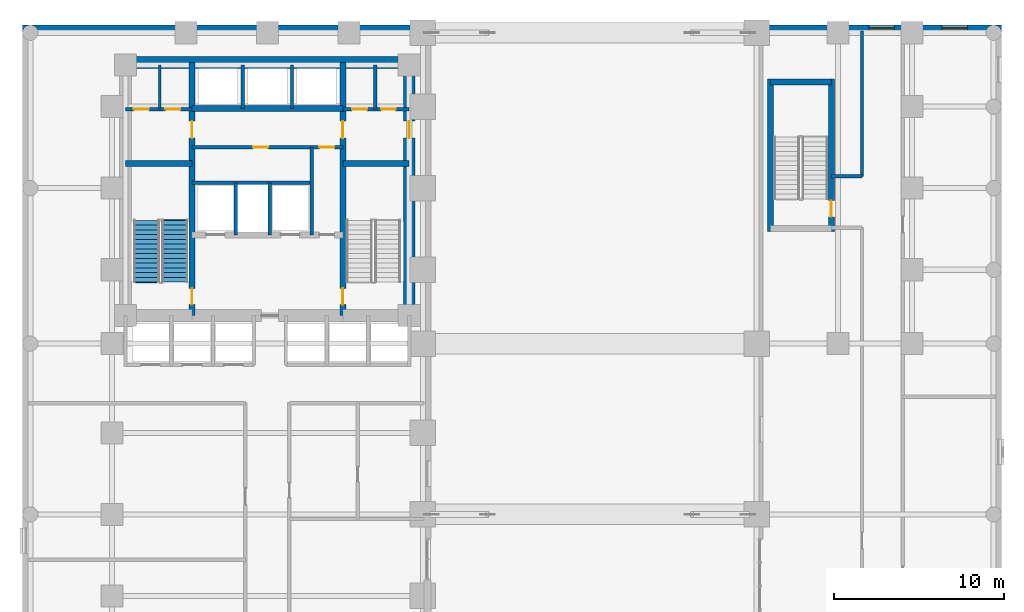
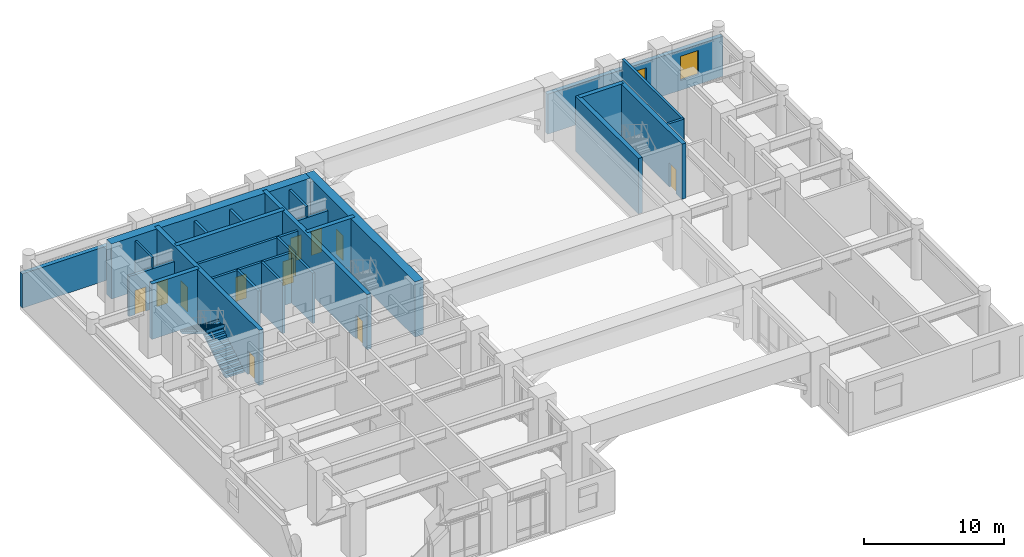
# One storey, part 8 of 12: 25 walls, 12 doors, 2 stair flights, 2 windows, 14 openings, 1 element without a shape of its own.
"""IFC4 building model written with IfcOpenShell, lengths in metres."""

from ifc_helpers import new_model, si_unit, direction, frame, frame_2d, origin, place, context, subcontext, project, spatial, polyline, rectangle, outline, extrude, material, layer, layer_set, type_object, element, fill, aggregate, save


model = new_model("IFC4")

# Units and contexts
model_context = context("Model", 3, precision=1e-05, world=origin(), true_north=direction((0.0, 1.0)))
body_context = subcontext(model_context, "Body", "Model", "MODEL_VIEW")
ifc_project = project(units=[si_unit("LENGTHUNIT", "METRE"), si_unit("AREAUNIT", "SQUARE_METRE"), si_unit("VOLUMEUNIT", "CUBIC_METRE"), si_unit("PLANEANGLEUNIT", "RADIAN"), si_unit("MASSUNIT", "GRAM", prefix="KILO")], contexts=[model_context])

# Site, building, storey
site_placement = place(None, origin())
site = spatial("IfcSite", under=ifc_project, at=site_placement, CompositionType="ELEMENT")
building_placement = place(site_placement, origin())
building = spatial("IfcBuilding", under=site, at=building_placement, Name="Orvandelia Arch Residences", CompositionType="ELEMENT")
storey_placement = place(building_placement, frame((0.0, 0.0, 10.0)))
storey = spatial("IfcBuildingStorey", under=building, at=storey_placement, Name="L02", CompositionType="ELEMENT", Elevation=10.0)

# Wall, openings, doors
ifc_material_1 = material(Name="Concrete C50/60", Category="concrete")
ifc_layer_1 = layer(ifc_material_1, 0.35009765625, Name="Concrete C50/60", Category="concrete")
ifc_layer_set_1 = layer_set([ifc_layer_1], Name="Concrete C50/60")
wall_type_1 = type_object("IfcWallType", Name="WL-CORE-350", PredefinedType="SHEAR", material=ifc_layer_set_1)
wall_1_placement = place(storey_placement, frame((9.9599609375, 30.89990234375, 0.0), z_axis=(0.0, 0.0, 1.0), x_axis=(0.0, 1.0, 0.0)))
wall_1 = element("IfcWall", 1, at=wall_1_placement, inside=storey, type_object=wall_type_1, Name="Core Shear Wall L02-WEB1", PredefinedType="SHEAR", context=body_context, shape_type="SweptSolid", body=[
    extrude(rectangle(XDim=14.900146484375, YDim=0.35009765625, at=frame_2d((7.4501953125, 0.0))), origin(), (0.0, 0.0, 1.0), 4.800048828125),
])
opening_1_placement = place(wall_1_placement, frame((0.64990234375, 0.0, 0.0)))
opening_1 = element("IfcOpeningElement", 2, at=opening_1_placement, cuts=wall_1, Name="Opening D7", PredefinedType="OPENING", context=body_context, shape_type="SweptSolid", body=[
    extrude(rectangle(XDim=0.949951171875, YDim=2.10009765625, at=frame_2d((0.47509765625, 1.050048828125))), frame((0.0, 0.18505859375, 0.0), z_axis=(0.0, -1.0, 0.0), x_axis=(1.0, 0.0, 0.0)), (0.0, 0.0, 1.0), 0.3701171875),
])
opening_2_placement = place(wall_1_placement, frame((10.449951171875, 0.0, 0.0)))
opening_2 = element("IfcOpeningElement", 3, at=opening_2_placement, cuts=wall_1, Name="Opening D6", PredefinedType="OPENING", context=body_context, shape_type="SweptSolid", body=[
    extrude(rectangle(XDim=1.0, YDim=2.14990234375, at=frame_2d((0.5, 1.074951171875))), frame((0.0, 0.18505859375, 0.0), z_axis=(0.0, -1.0, 0.0), x_axis=(1.0, 0.0, 0.0)), (0.0, 0.0, 1.0), 0.3701171875),
])
ifc_material_2 = material(Name="Smokeproof Painted Steel Fire Door", Category="steel")
door_type_1 = type_object("IfcDoorType", Name="DR-FD60-1000", OperationType="NOTDEFINED", PredefinedType="DOOR", material=ifc_material_2)
door_1_placement = place(opening_2_placement, origin())
door_1 = element("IfcDoor", 4, at=door_1_placement, inside=storey, type_object=door_type_1, Name="High-Rise Lift Hall West Vestibule Door L02", OperationType="SINGLE_SWING_LEFT", OverallHeight=2.14990234375, OverallWidth=1.0, PredefinedType="DOOR", context=body_context, shape_type="SweptSolid", body=[
    extrude(rectangle(XDim=1.0, YDim=2.14990234375, at=frame_2d((0.5, 1.074951171875))), frame((0.0, 0.02490234375, 0.0), z_axis=(0.0, -1.0, 0.0), x_axis=(1.0, 0.0, 0.0)), (0.0, 0.0, 1.0), 0.050048828125),
])
fill(opening_2, door_1)
ifc_material_3 = material(Name="Pressurised Stairwell Fire Door")
door_type_2 = type_object("IfcDoorType", Name="DR-STAIR-950", OperationType="NOTDEFINED", PredefinedType="DOOR", material=ifc_material_3)
door_2_placement = place(opening_1_placement, origin())
door_2 = element("IfcDoor", 5, at=door_2_placement, inside=storey, type_object=door_type_2, Name="Stairwell ST-1 Fire Door L02", OperationType="SINGLE_SWING_LEFT", OverallHeight=2.10009765625, OverallWidth=0.949951171875, PredefinedType="DOOR", context=body_context, shape_type="SweptSolid", body=[
    extrude(rectangle(XDim=0.949951171875, YDim=2.10009765625, at=frame_2d((0.47509765625, 1.050048828125))), frame((0.0, 0.02490234375, 0.0), z_axis=(0.0, -1.0, 0.0), x_axis=(1.0, 0.0, 0.0)), (0.0, 0.0, 1.0), 0.050048828125),
])
fill(opening_1, door_2)

wall_2_placement = place(storey_placement, frame((18.840087890625, 30.89990234375, 0.0), z_axis=(0.0, 0.0, 1.0), x_axis=(0.0, 1.0, 0.0)))
wall_2 = element("IfcWall", 6, at=wall_2_placement, inside=storey, type_object=wall_type_1, Name="Core Shear Wall L02-WEB2", PredefinedType="SHEAR", context=body_context, shape_type="SweptSolid", body=[
    extrude(rectangle(XDim=14.900146484375, YDim=0.35009765625, at=frame_2d((7.4501953125, 0.0))), origin(), (0.0, 0.0, 1.0), 4.800048828125),
])
opening_3_placement = place(wall_2_placement, frame((0.64990234375, 0.0, 0.0)))
opening_3 = element("IfcOpeningElement", 7, at=opening_3_placement, cuts=wall_2, Name="Opening D7", PredefinedType="OPENING", context=body_context, shape_type="SweptSolid", body=[
    extrude(rectangle(XDim=0.949951171875, YDim=2.10009765625, at=frame_2d((0.47509765625, 1.050048828125))), frame((0.0, 0.18505859375, 0.0), z_axis=(0.0, -1.0, 0.0), x_axis=(1.0, 0.0, 0.0)), (0.0, 0.0, 1.0), 0.3701171875),
])
opening_4_placement = place(wall_2_placement, frame((10.449951171875, 0.0, 0.0)))
opening_4 = element("IfcOpeningElement", 8, at=opening_4_placement, cuts=wall_2, Name="Opening D6", PredefinedType="OPENING", context=body_context, shape_type="SweptSolid", body=[
    extrude(rectangle(XDim=1.0, YDim=2.14990234375, at=frame_2d((0.5, 1.074951171875))), frame((0.0, 0.18505859375, 0.0), z_axis=(0.0, -1.0, 0.0), x_axis=(1.0, 0.0, 0.0)), (0.0, 0.0, 1.0), 0.3701171875),
])
door_3_placement = place(opening_4_placement, origin())
door_3 = element("IfcDoor", 9, at=door_3_placement, inside=storey, type_object=door_type_1, Name="High-Rise Lift Hall East Vestibule Door L02", OperationType="SINGLE_SWING_RIGHT", OverallHeight=2.14990234375, OverallWidth=1.0, PredefinedType="DOOR", context=body_context, shape_type="SweptSolid", body=[
    extrude(rectangle(XDim=1.0, YDim=2.14990234375, at=frame_2d((0.5, 1.074951171875))), frame((0.0, 0.02490234375, 0.0), z_axis=(0.0, -1.0, 0.0), x_axis=(1.0, 0.0, 0.0)), (0.0, 0.0, 1.0), 0.050048828125),
])
fill(opening_4, door_3)
door_4_placement = place(opening_3_placement, origin())
door_4 = element("IfcDoor", 10, at=door_4_placement, inside=storey, type_object=door_type_2, Name="Stairwell ST-2 Fire Door L02", OperationType="SINGLE_SWING_RIGHT", OverallHeight=2.10009765625, OverallWidth=0.949951171875, PredefinedType="DOOR", context=body_context, shape_type="SweptSolid", body=[
    extrude(rectangle(XDim=0.949951171875, YDim=2.10009765625, at=frame_2d((0.47509765625, 1.050048828125))), frame((0.0, 0.02490234375, 0.0), z_axis=(0.0, -1.0, 0.0), x_axis=(1.0, 0.0, 0.0)), (0.0, 0.0, 1.0), 0.050048828125),
])
fill(opening_3, door_4)

# Walls
for number, where, z_axis, x_axis, name in (
    (11, (6.050048828125, 39.85009765625, 0.0), (0.0, 0.0, 1.0), (1.0, 0.0, 0.0), "Core Shear Wall L02-HZ1"),
    (12, (18.840087890625, 39.85009765625, 0.0), (0.0, 0.0, 1.0), (1.0, 0.0, 0.0), "Core Shear Wall L02-HZ2"),
):
    element("IfcWall", number, at=place(storey_placement, frame(where, z_axis=z_axis, x_axis=x_axis)), inside=storey, type_object=wall_type_1, Name=name, PredefinedType="SHEAR", context=body_context, shape_type="SweptSolid", body=[
        extrude(rectangle(XDim=3.909912109375, YDim=0.35009765625, at=frame_2d((1.955078125, 0.0))), origin(), (0.0, 0.0, 1.0), 4.800048828125),
    ])
wall_3_placement = place(storey_placement, frame((9.9599609375, 43.10009765625, 0.0), z_axis=(0.0, 0.0, 1.0), x_axis=(1.0, 0.0, 0.0)))
element("IfcWall", 13, at=wall_3_placement, inside=storey, type_object=wall_type_1, Name="Core Shear Wall L02-HZ4", PredefinedType="SHEAR", context=body_context, shape_type="SweptSolid", body=[
    extrude(rectangle(XDim=8.880126953125, YDim=0.35009765625, at=frame_2d((4.43994140625, 0.0))), origin(), (0.0, 0.0, 1.0), 4.800048828125),
])
wall_4_placement = place(storey_placement, frame((44.02001953125, 35.864990234375, 0.0), z_axis=(0.0, 0.0, 1.0), x_axis=(0.0, 1.0, 0.0)))
element("IfcWall", 14, at=wall_4_placement, inside=storey, type_object=wall_type_1, Name="East Stair Core Shear Wall L02-W", PredefinedType="SHEAR", context=body_context, shape_type="SweptSolid", body=[
    extrude(rectangle(XDim=8.969970703125, YDim=0.35009765625, at=frame_2d((4.48486328125, 0.0))), origin(), (0.0, 0.0, 1.0), 4.800048828125),
])

# Wall, opening, door
wall_5_placement = place(storey_placement, frame((47.60009765625, 35.864990234375, 0.0), z_axis=(0.0, 0.0, 1.0), x_axis=(0.0, 1.0, 0.0)))
wall_5 = element("IfcWall", 15, at=wall_5_placement, inside=storey, type_object=wall_type_1, Name="East Stair Core Shear Wall L02-E", PredefinedType="SHEAR", context=body_context, shape_type="SweptSolid", body=[
    extrude(rectangle(XDim=8.969970703125, YDim=0.35009765625, at=frame_2d((4.48486328125, 0.0))), origin(), (0.0, 0.0, 1.0), 4.800048828125),
])
opening_5_placement = place(wall_5_placement, frame((0.85009765625, 0.0, 0.0)))
opening_5 = element("IfcOpeningElement", 16, at=opening_5_placement, cuts=wall_5, Name="Opening D7", PredefinedType="OPENING", context=body_context, shape_type="SweptSolid", body=[
    extrude(rectangle(XDim=0.949951171875, YDim=2.10009765625, at=frame_2d((0.47509765625, 1.050048828125))), frame((0.0, 0.18505859375, 0.0), z_axis=(0.0, -1.0, 0.0), x_axis=(1.0, 0.0, 0.0)), (0.0, 0.0, 1.0), 0.3701171875),
])
door_5_placement = place(opening_5_placement, origin())
door_5 = element("IfcDoor", 17, at=door_5_placement, inside=storey, type_object=door_type_2, Name="East Stairwell ST-3 Fire Door L02", OperationType="SINGLE_SWING_RIGHT", OverallHeight=2.10009765625, OverallWidth=0.949951171875, PredefinedType="DOOR", context=body_context, shape_type="SweptSolid", body=[
    extrude(rectangle(XDim=0.949951171875, YDim=2.10009765625, at=frame_2d((0.47509765625, 1.050048828125))), frame((0.0, 0.02490234375, 0.0), z_axis=(0.0, -1.0, 0.0), x_axis=(1.0, 0.0, 0.0)), (0.0, 0.0, 1.0), 0.050048828125),
])
fill(opening_5, door_5)

# Wall
wall_6_placement = place(storey_placement, frame((44.02001953125, 44.659912109375, 0.0), z_axis=(0.0, 0.0, 1.0), x_axis=(1.0, 0.0, 0.0)))
element("IfcWall", 18, at=wall_6_placement, inside=storey, type_object=wall_type_1, Name="East Stair Core Shear Wall L02-N", PredefinedType="SHEAR", context=body_context, shape_type="SweptSolid", body=[
    extrude(rectangle(XDim=3.580078125, YDim=0.35009765625, at=frame_2d((1.7900390625, 0.0))), origin(), (0.0, 0.0, 1.0), 4.800048828125),
])

# Wall, opening, door
ifc_material_4 = material(Name="Concrete C80/95", Category="concrete")
ifc_layer_2 = layer(ifc_material_4, 0.699951171875, Name="Concrete C80/95", Category="concrete")
ifc_layer_set_2 = layer_set([ifc_layer_2], Name="Concrete C80/95")
wall_type_2 = type_object("IfcWallType", Name="WL-CORE-700", PredefinedType="SHEAR", material=ifc_layer_set_2)
wall_7_placement = place(storey_placement, frame((22.75, 30.550048828125, 0.0), z_axis=(0.0, 0.0, 1.0), x_axis=(0.0, 1.0, 0.0)))
wall_7 = element("IfcWall", 19, at=wall_7_placement, inside=storey, type_object=wall_type_2, Name="Core Shear Wall L02-E", PredefinedType="SHEAR", context=body_context, shape_type="SweptSolid", body=[
    extrude(rectangle(XDim=15.599853515625, YDim=0.699951171875, at=frame_2d((7.7998046875, 0.0))), origin(), (0.0, 0.0, 1.0), 4.800048828125),
])
opening_6_placement = place(wall_7_placement, frame((10.800048828125, 0.0, 0.0)))
opening_6 = element("IfcOpeningElement", 20, at=opening_6_placement, cuts=wall_7, Name="Opening D6", PredefinedType="OPENING", context=body_context, shape_type="SweptSolid", body=[
    extrude(rectangle(XDim=1.0, YDim=2.14990234375, at=frame_2d((0.5, 1.074951171875))), frame((0.0, 0.35986328125, 0.0), z_axis=(0.0, -1.0, 0.0), x_axis=(1.0, 0.0, 0.0)), (0.0, 0.0, 1.0), 0.719970703125),
])
door_6_placement = place(opening_6_placement, origin())
door_6 = element("IfcDoor", 21, at=door_6_placement, inside=storey, type_object=door_type_1, Name="Core East Corridor Link Door L02", OperationType="SINGLE_SWING_LEFT", OverallHeight=2.14990234375, OverallWidth=1.0, PredefinedType="DOOR", context=body_context, shape_type="SweptSolid", body=[
    extrude(rectangle(XDim=1.0, YDim=2.14990234375, at=frame_2d((0.5, 1.074951171875))), frame((0.0, 0.02490234375, 0.0), z_axis=(0.0, -1.0, 0.0), x_axis=(1.0, 0.0, 0.0)), (0.0, 0.0, 1.0), 0.050048828125),
])
fill(opening_6, door_6)

# Walls
wall_8_placement = place(storey_placement, frame((6.050048828125, 45.800048828125, 0.0), z_axis=(0.0, 0.0, 1.0), x_axis=(1.0, 0.0, 0.0)))
element("IfcWall", 22, at=wall_8_placement, inside=storey, type_object=wall_type_2, Name="Core Shear Wall L02-N", PredefinedType="SHEAR", context=body_context, shape_type="SweptSolid", body=[
    extrude(rectangle(XDim=16.699951171875, YDim=0.699951171875, at=frame_2d((8.35009765625, 0.0))), origin(), (0.0, 0.0, 1.0), 4.800048828125),
])
ifc_material_5 = material(Name="Fire-Rated Corridor Partition")
ifc_layer_3 = layer(ifc_material_5, 0.199951171875, Name="Fire-Rated Corridor Partition")
ifc_layer_set_3 = layer_set([ifc_layer_3], Name="Fire-Rated Corridor Partition")
wall_type_3 = type_object("IfcWallType", Name="WL-CORR-200", PredefinedType="PARTITIONING", material=ifc_layer_set_3)
wall_9_placement = place(storey_placement, frame((49.39990234375, 39.10009765625, 0.0), z_axis=(0.0, 0.0, 1.0), x_axis=(0.0, 1.0, 0.0)))
element("IfcWall", 23, at=wall_9_placement, inside=storey, type_object=wall_type_3, Name="Interior Partition Wall WL-L02-PE-W2", PredefinedType="PARTITIONING", context=body_context, shape_type="SweptSolid", body=[
    extrude(rectangle(XDim=8.539794921875, YDim=0.199951171875, at=frame_2d((4.27001953125, 0.0))), origin(), (0.0, 0.0, 1.0), 4.39990234375),
])
wall_10_placement = place(storey_placement, frame((47.60009765625, 39.10009765625, 0.0), z_axis=(0.0, 0.0, 1.0), x_axis=(1.0, 0.0, 0.0)))
element("IfcWall", 24, at=wall_10_placement, inside=storey, type_object=wall_type_3, Name="Interior Partition Wall WL-L02-PE-VN", PredefinedType="PARTITIONING", context=body_context, shape_type="SweptSolid", body=[
    extrude(rectangle(XDim=1.7998046875, YDim=0.199951171875, at=frame_2d((0.89990234375, 0.0))), origin(), (0.0, 0.0, 1.0), 4.39990234375),
])
ifc_material_6 = material(Name="Precast concrete C40/50", Category="concrete")
ifc_layer_4 = layer(ifc_material_6, 0.35009765625, Name="Precast concrete C40/50", Category="concrete")
ifc_layer_set_4 = layer_set([ifc_layer_4], Name="Precast concrete C40/50")
wall_type_4 = type_object("IfcWallType", Name="WL-EXT-POD-350", PredefinedType="STANDARD", material=ifc_layer_set_4)
wall_11_placement = place(storey_placement, frame((0.0, 47.824951171875, 0.0), z_axis=(0.0, 0.0, 1.0), x_axis=(1.0, 0.0, 0.0)))
element("IfcWall", 25, at=wall_11_placement, inside=storey, type_object=wall_type_4, Name="Coral-Limestone Precast Facade Wall L02-001", PredefinedType="STANDARD", context=body_context, shape_type="SweptSolid", body=[
    extrude(rectangle(XDim=24.0, YDim=0.35009765625, at=frame_2d((12.0, 0.0))), origin(), (0.0, 0.0, 1.0), 2.97998046875),
])

# Wall, openings, windows
wall_12_placement = place(storey_placement, frame((43.199951171875, 47.824951171875, 0.0), z_axis=(0.0, 0.0, 1.0), x_axis=(1.0, 0.0, 0.0)))
wall_12 = element("IfcWall", 26, at=wall_12_placement, inside=storey, type_object=wall_type_4, Name="Coral-Limestone Precast Facade Wall L02-010", PredefinedType="STANDARD", context=body_context, shape_type="SweptSolid", body=[
    extrude(rectangle(XDim=14.400146484375, YDim=0.35009765625, at=frame_2d((7.2001953125, 0.0))), origin(), (0.0, 0.0, 1.0), 3.47998046875),
])
opening_7_placement = place(wall_12_placement, frame((6.60009765625, 0.0, 0.85009765625)))
opening_7 = element("IfcOpeningElement", 27, at=opening_7_placement, cuts=wall_12, Name="Opening W2", PredefinedType="OPENING", context=body_context, shape_type="SweptSolid", body=[
    extrude(rectangle(XDim=1.5, YDim=2.10009765625, at=frame_2d((0.75, 1.050048828125))), frame((0.0, 0.18505859375, 0.0), z_axis=(0.0, -1.0, 0.0), x_axis=(1.0, 0.0, 0.0)), (0.0, 0.0, 1.0), 0.3701171875),
])
opening_8_placement = place(wall_12_placement, frame((10.89990234375, 0.0, 0.85009765625)))
opening_8 = element("IfcOpeningElement", 28, at=opening_8_placement, cuts=wall_12, Name="Opening W2", PredefinedType="OPENING", context=body_context, shape_type="SweptSolid", body=[
    extrude(rectangle(XDim=1.5, YDim=2.10009765625, at=frame_2d((0.75, 1.050048828125))), frame((0.0, 0.18505859375, 0.0), z_axis=(0.0, -1.0, 0.0), x_axis=(1.0, 0.0, 0.0)), (0.0, 0.0, 1.0), 0.3701171875),
])
ifc_material_7 = material(Name="Tempered Low-E Insulated Glazing", Category="glass")
window_type = type_object("IfcWindowType", Name="WIN-RES-1500x2100", PartitioningType="SINGLE_PANEL", PredefinedType="WINDOW", material=ifc_material_7)
window_1_placement = place(opening_7_placement, origin())
window_1 = element("IfcWindow", 29, at=window_1_placement, inside=storey, type_object=window_type, Name="Recessed Punched Window L02-007", OverallHeight=2.10009765625, OverallWidth=1.5, PartitioningType="SINGLE_PANEL", PredefinedType="WINDOW", context=body_context, shape_type="SweptSolid", body=[
    extrude(rectangle(XDim=1.5, YDim=2.10009765625, at=frame_2d((0.75, 1.050048828125))), frame((0.0, 0.030029296875, 0.0), z_axis=(0.0, -1.0, 0.0), x_axis=(1.0, 0.0, 0.0)), (0.0, 0.0, 1.0), 0.06005859375),
])
fill(opening_7, window_1)
window_2_placement = place(opening_8_placement, origin())
window_2 = element("IfcWindow", 30, at=window_2_placement, inside=storey, type_object=window_type, Name="Recessed Punched Window L02-008", OverallHeight=2.10009765625, OverallWidth=1.5, PartitioningType="SINGLE_PANEL", PredefinedType="WINDOW", context=body_context, shape_type="SweptSolid", body=[
    extrude(rectangle(XDim=1.5, YDim=2.10009765625, at=frame_2d((0.75, 1.050048828125))), frame((0.0, 0.030029296875, 0.0), z_axis=(0.0, -1.0, 0.0), x_axis=(1.0, 0.0, 0.0)), (0.0, 0.0, 1.0), 0.06005859375),
])
fill(opening_8, window_2)

# Walls
ifc_material_8 = material(Name="Acoustic Gypsum Stud Partition")
ifc_layer_5 = layer(ifc_material_8, 0.14990234375, Name="Acoustic Gypsum Stud Partition")
ifc_layer_set_5 = layer_set([ifc_layer_5], Name="Acoustic Gypsum Stud Partition")
wall_type_5 = type_object("IfcWallType", Name="WL-PART-150", PredefinedType="PARTITIONING", material=ifc_layer_set_5)
wall_13_placement = place(storey_placement, frame((8.06005859375, 43.050048828125, 0.0), z_axis=(0.0, 0.0, 1.0), x_axis=(0.0, 1.0, 0.0)))
element("IfcWall", 31, at=wall_13_placement, inside=storey, type_object=wall_type_5, Name="Interior Partition Wall WL-L02-CRELC-M", PredefinedType="PARTITIONING", context=body_context, shape_type="SweptSolid", body=[
    extrude(rectangle(XDim=2.599853515625, YDim=0.14990234375, at=frame_2d((1.2998046875, 0.0))), origin(), (0.0, 0.0, 1.0), 4.39990234375),
])
ifc_material_9 = material(Name="Fire-Rated Shaft Enclosure Wall")
ifc_layer_6 = layer(ifc_material_9, 0.199951171875, Name="Fire-Rated Shaft Enclosure Wall")
ifc_layer_set_6 = layer_set([ifc_layer_6], Name="Fire-Rated Shaft Enclosure Wall")
wall_type_6 = type_object("IfcWallType", Name="WL-SHAFT-200", PredefinedType="POLYGONAL", material=ifc_layer_set_6)
wall_14_placement = place(storey_placement, frame((9.9599609375, 38.719970703125, 0.0), z_axis=(0.0, 0.0, 1.0), x_axis=(1.0, 0.0, 0.0)))
element("IfcWall", 32, at=wall_14_placement, inside=storey, type_object=wall_type_6, Name="Interior Partition Wall WL-L02-FLN", PredefinedType="POLYGONAL", context=body_context, shape_type="SweptSolid", body=[
    extrude(rectangle(XDim=7.06005859375, YDim=0.199951171875, at=frame_2d((3.530029296875, 0.0))), origin(), (0.0, 0.0, 1.0), 4.39990234375),
])
for number, where, z_axis, x_axis, name in (
    (33, (12.550048828125, 35.64990234375, 0.0), (0.0, 0.0, 1.0), (0.0, 1.0, 0.0), "Interior Partition Wall WL-L02-FLM1"),
    (34, (14.550048828125, 35.64990234375, 0.0), (0.0, 0.0, 1.0), (0.0, 1.0, 0.0), "Interior Partition Wall WL-L02-FLM2"),
):
    element("IfcWall", number, at=place(storey_placement, frame(where, z_axis=z_axis, x_axis=x_axis)), inside=storey, type_object=wall_type_6, Name=name, PredefinedType="POLYGONAL", context=body_context, shape_type="SweptSolid", body=[
        extrude(rectangle(XDim=3.070068359375, YDim=0.199951171875, at=frame_2d((1.53515625, 0.0))), origin(), (0.0, 0.0, 1.0), 4.39990234375),
    ])
wall_15_placement = place(storey_placement, frame((17.02001953125, 35.64990234375, 0.0), z_axis=(0.0, 0.0, 1.0), x_axis=(0.0, 1.0, 0.0)))
element("IfcWall", 35, at=wall_15_placement, inside=storey, type_object=wall_type_6, Name="Interior Partition Wall WL-L02-FLM3", PredefinedType="POLYGONAL", context=body_context, shape_type="SweptSolid", body=[
    extrude(rectangle(XDim=5.150146484375, YDim=0.199951171875, at=frame_2d((2.5751953125, 0.0))), origin(), (0.0, 0.0, 1.0), 4.39990234375),
])

# Wall, openings, doors
wall_16_placement = place(storey_placement, frame((9.9599609375, 40.800048828125, 0.0), z_axis=(0.0, 0.0, 1.0), x_axis=(1.0, 0.0, 0.0)))
wall_16 = element("IfcWall", 36, at=wall_16_placement, inside=storey, type_object=wall_type_6, Name="Interior Partition Wall WL-L02-HLH-S", PredefinedType="POLYGONAL", context=body_context, shape_type="SweptSolid", body=[
    extrude(rectangle(XDim=8.880126953125, YDim=0.199951171875, at=frame_2d((4.43994140625, 0.0))), origin(), (0.0, 0.0, 1.0), 4.39990234375),
])
opening_9_placement = place(wall_16_placement, frame((7.5, 0.0, 0.0)))
opening_9 = element("IfcOpeningElement", 37, at=opening_9_placement, cuts=wall_16, Name="Opening D5", PredefinedType="OPENING", context=body_context, shape_type="SweptSolid", body=[
    extrude(rectangle(XDim=0.8798828125, YDim=2.10009765625, at=frame_2d((0.43994140625, 1.050048828125))), frame((0.0, 0.10986328125, 0.0), z_axis=(0.0, -1.0, 0.0), x_axis=(1.0, 0.0, 0.0)), (0.0, 0.0, 1.0), 0.219970703125),
])
opening_10_placement = place(wall_16_placement, frame((3.60009765625, 0.0, 0.0)))
opening_10 = element("IfcOpeningElement", 38, at=opening_10_placement, cuts=wall_16, Name="Opening D5", PredefinedType="OPENING", context=body_context, shape_type="SweptSolid", body=[
    extrude(rectangle(XDim=0.8798828125, YDim=2.10009765625, at=frame_2d((0.43994140625, 1.050048828125))), frame((0.0, 0.10986328125, 0.0), z_axis=(0.0, -1.0, 0.0), x_axis=(1.0, 0.0, 0.0)), (0.0, 0.0, 1.0), 0.219970703125),
])
ifc_material_10 = material(Name="Painted Galvanised Steel Service Door", Category="steel")
door_type_3 = type_object("IfcDoorType", Name="DR-SRV-880", OperationType="NOTDEFINED", PredefinedType="DOOR", material=ifc_material_10)
door_7_placement = place(opening_9_placement, origin())
door_7 = element("IfcDoor", 39, at=door_7_placement, inside=storey, type_object=door_type_3, Name="Core Stairway Passage North Fire Door L02", OperationType="SINGLE_SWING_RIGHT", OverallHeight=2.10009765625, OverallWidth=0.8798828125, PredefinedType="DOOR", context=body_context, shape_type="SweptSolid", body=[
    extrude(rectangle(XDim=0.8798828125, YDim=2.10009765625, at=frame_2d((0.43994140625, 1.050048828125))), frame((0.0, 0.02490234375, 0.0), z_axis=(0.0, -1.0, 0.0), x_axis=(1.0, 0.0, 0.0)), (0.0, 0.0, 1.0), 0.050048828125),
])
fill(opening_9, door_7)
door_8_placement = place(opening_10_placement, origin())
door_8 = element("IfcDoor", 40, at=door_8_placement, inside=storey, type_object=door_type_3, Name="DR-L02-CSA1", OperationType="SINGLE_SWING_LEFT", OverallHeight=2.10009765625, OverallWidth=0.8798828125, PredefinedType="DOOR", context=body_context, shape_type="SweptSolid", body=[
    extrude(rectangle(XDim=0.8798828125, YDim=2.10009765625, at=frame_2d((0.43994140625, 1.050048828125))), frame((0.0, 0.02490234375, 0.0), z_axis=(0.0, -1.0, 0.0), x_axis=(1.0, 0.0, 0.0)), (0.0, 0.0, 1.0), 0.050048828125),
])
fill(opening_10, door_8)

wall_17_placement = place(storey_placement, frame((18.840087890625, 43.050048828125, 0.0), z_axis=(0.0, 0.0, 1.0), x_axis=(1.0, 0.0, 0.0)))
wall_17 = element("IfcWall", 41, at=wall_17_placement, inside=storey, type_object=wall_type_6, Name="Interior Partition Wall WL-L02-HLE-N", PredefinedType="POLYGONAL", context=body_context, shape_type="SweptSolid", body=[
    extrude(rectangle(XDim=3.909912109375, YDim=0.199951171875, at=frame_2d((1.955078125, 0.0))), origin(), (0.0, 0.0, 1.0), 3.47998046875),
])
opening_11_placement = place(wall_17_placement, frame((0.550048828125, 0.0, 0.0)))
opening_11 = element("IfcOpeningElement", 42, at=opening_11_placement, cuts=wall_17, Name="Opening D5", PredefinedType="OPENING", context=body_context, shape_type="SweptSolid", body=[
    extrude(rectangle(XDim=0.8798828125, YDim=2.10009765625, at=frame_2d((0.43994140625, 1.050048828125))), frame((0.0, 0.10986328125, 0.0), z_axis=(0.0, -1.0, 0.0), x_axis=(1.0, 0.0, 0.0)), (0.0, 0.0, 1.0), 0.219970703125),
])
opening_12_placement = place(wall_17_placement, frame((2.25, 0.0, 0.0)))
opening_12 = element("IfcOpeningElement", 43, at=opening_12_placement, cuts=wall_17, Name="Opening D4", PredefinedType="OPENING", context=body_context, shape_type="SweptSolid", body=[
    extrude(rectangle(XDim=0.860107421875, YDim=2.10009765625, at=frame_2d((0.43017578125, 1.050048828125))), frame((0.0, 0.10986328125, 0.0), z_axis=(0.0, -1.0, 0.0), x_axis=(1.0, 0.0, 0.0)), (0.0, 0.0, 1.0), 0.219970703125),
])
door_9_placement = place(opening_11_placement, origin())
door_9 = element("IfcDoor", 44, at=door_9_placement, inside=storey, type_object=door_type_3, Name="DR-L02-CSB1", OperationType="SINGLE_SWING_LEFT", OverallHeight=2.10009765625, OverallWidth=0.8798828125, PredefinedType="DOOR", context=body_context, shape_type="SweptSolid", body=[
    extrude(rectangle(XDim=0.8798828125, YDim=2.10009765625, at=frame_2d((0.43994140625, 1.050048828125))), frame((0.0, 0.02490234375, 0.0), z_axis=(0.0, -1.0, 0.0), x_axis=(1.0, 0.0, 0.0)), (0.0, 0.0, 1.0), 0.050048828125),
])
fill(opening_11, door_9)
ifc_material_11 = material(Name="Moisture-Sealed Timber Bathroom Door", Category="wood")
door_type_4 = type_object("IfcDoorType", Name="DR-WET-900", OperationType="NOTDEFINED", PredefinedType="DOOR", material=ifc_material_11)
door_10_placement = place(opening_12_placement, origin())
door_10 = element("IfcDoor", 45, at=door_10_placement, inside=storey, type_object=door_type_4, Name="DR-L02-CSB2", OperationType="SINGLE_SWING_RIGHT", OverallHeight=2.10009765625, OverallWidth=0.860107421875, PredefinedType="DOOR", context=body_context, shape_type="SweptSolid", body=[
    extrude(rectangle(XDim=0.860107421875, YDim=2.10009765625, at=frame_2d((0.43017578125, 1.050048828125))), frame((0.0, 0.02490234375, 0.0), z_axis=(0.0, -1.0, 0.0), x_axis=(1.0, 0.0, 0.0)), (0.0, 0.0, 1.0), 0.050048828125),
])
fill(opening_12, door_10)

wall_18_placement = place(storey_placement, frame((6.050048828125, 43.050048828125, 0.0), z_axis=(0.0, 0.0, 1.0), x_axis=(1.0, 0.0, 0.0)))
wall_18 = element("IfcWall", 46, at=wall_18_placement, inside=storey, type_object=wall_type_6, Name="Interior Partition Wall WL-L02-HLW-N", PredefinedType="POLYGONAL", context=body_context, shape_type="SweptSolid", body=[
    extrude(rectangle(XDim=3.909912109375, YDim=0.199951171875, at=frame_2d((1.955078125, 0.0))), origin(), (0.0, 0.0, 1.0), 3.47998046875),
])
opening_13_placement = place(wall_18_placement, frame((0.5, 0.0, 0.0)))
opening_13 = element("IfcOpeningElement", 47, at=opening_13_placement, cuts=wall_18, Name="Opening D5", PredefinedType="OPENING", context=body_context, shape_type="SweptSolid", body=[
    extrude(rectangle(XDim=0.8798828125, YDim=2.10009765625, at=frame_2d((0.43994140625, 1.050048828125))), frame((0.0, 0.10986328125, 0.0), z_axis=(0.0, -1.0, 0.0), x_axis=(1.0, 0.0, 0.0)), (0.0, 0.0, 1.0), 0.219970703125),
])
opening_14_placement = place(wall_18_placement, frame((2.35009765625, 0.0, 0.0)))
opening_14 = element("IfcOpeningElement", 48, at=opening_14_placement, cuts=wall_18, Name="Opening D5", PredefinedType="OPENING", context=body_context, shape_type="SweptSolid", body=[
    extrude(rectangle(XDim=0.8798828125, YDim=2.10009765625, at=frame_2d((0.43994140625, 1.050048828125))), frame((0.0, 0.10986328125, 0.0), z_axis=(0.0, -1.0, 0.0), x_axis=(1.0, 0.0, 0.0)), (0.0, 0.0, 1.0), 0.219970703125),
])
door_11_placement = place(opening_13_placement, origin())
door_11 = element("IfcDoor", 49, at=door_11_placement, inside=storey, type_object=door_type_3, Name="DR-L02-CRELC1", OperationType="SINGLE_SWING_LEFT", OverallHeight=2.10009765625, OverallWidth=0.8798828125, PredefinedType="DOOR", context=body_context, shape_type="SweptSolid", body=[
    extrude(rectangle(XDim=0.8798828125, YDim=2.10009765625, at=frame_2d((0.43994140625, 1.050048828125))), frame((0.0, 0.02490234375, 0.0), z_axis=(0.0, -1.0, 0.0), x_axis=(1.0, 0.0, 0.0)), (0.0, 0.0, 1.0), 0.050048828125),
])
fill(opening_13, door_11)
door_12_placement = place(opening_14_placement, origin())
door_12 = element("IfcDoor", 50, at=door_12_placement, inside=storey, type_object=door_type_3, Name="DR-L02-CRELC2", OperationType="SINGLE_SWING_RIGHT", OverallHeight=2.10009765625, OverallWidth=0.8798828125, PredefinedType="DOOR", context=body_context, shape_type="SweptSolid", body=[
    extrude(rectangle(XDim=0.8798828125, YDim=2.10009765625, at=frame_2d((0.43994140625, 1.050048828125))), frame((0.0, 0.02490234375, 0.0), z_axis=(0.0, -1.0, 0.0), x_axis=(1.0, 0.0, 0.0)), (0.0, 0.0, 1.0), 0.050048828125),
])
fill(opening_14, door_12)

# Walls
for number, where, z_axis, x_axis, name in (
    (51, (12.949951171875, 43.10009765625, 0.0), (0.0, 0.0, 1.0), (0.0, 1.0, 0.0), "Interior Partition Wall WL-L02-PHD1"),
    (52, (15.85009765625, 43.10009765625, 0.0), (0.0, 0.0, 1.0), (0.0, 1.0, 0.0), "Interior Partition Wall WL-L02-PHD2"),
):
    element("IfcWall", number, at=place(storey_placement, frame(where, z_axis=z_axis, x_axis=x_axis)), inside=storey, type_object=wall_type_6, Name=name, PredefinedType="POLYGONAL", context=body_context, shape_type="SweptSolid", body=[
        extrude(rectangle(XDim=2.5498046875, YDim=0.199951171875, at=frame_2d((1.27490234375, 0.0))), origin(), (0.0, 0.0, 1.0), 4.39990234375),
    ])
ifc_material_12 = material(Name="Moisture-Resistant Plumbing Wall")
ifc_layer_7 = layer(ifc_material_12, 0.179931640625, Name="Moisture-Resistant Plumbing Wall")
ifc_layer_set_7 = layer_set([ifc_layer_7], Name="Moisture-Resistant Plumbing Wall")
wall_type_7 = type_object("IfcWallType", Name="WL-WET-180", PredefinedType="PLUMBINGWALL", material=ifc_layer_set_7)
wall_19_placement = place(storey_placement, frame((20.75, 43.050048828125, 0.0), z_axis=(0.0, 0.0, 1.0), x_axis=(0.0, 1.0, 0.0)))
element("IfcWall", 53, at=wall_19_placement, inside=storey, type_object=wall_type_7, Name="Interior Partition Wall WL-L02-CSB-1", PredefinedType="PLUMBINGWALL", context=body_context, shape_type="SweptSolid", body=[
    extrude(rectangle(XDim=2.599853515625, YDim=0.179931640625, at=frame_2d((1.2998046875, 0.0))), origin(), (0.0, 0.0, 1.0), 4.39990234375),
])

# Stair, stair flights
ifc_material_13 = material(Name="Concrete C40/50", Category="concrete")
stair_type = type_object("IfcStairType", Name="STAIR-RC-DOGLEG", PredefinedType="HALF_TURN_STAIR", material=ifc_material_13)
stair_placement = place(storey_placement, origin())
stair = element("IfcStair", 54, at=stair_placement, inside=storey, type_object=stair_type, Name="L02 Protected Exit Stair ST-1", PredefinedType="HALF_TURN_STAIR")
stair_flight_type = type_object("IfcStairFlightType", Name="STFLT-RC-1520", PredefinedType="STRAIGHT", material=ifc_material_13)
stair_flight_1_placement = place(storey_placement, frame((8.9599609375, 32.8701171875, 0.0), z_axis=(0.0, 0.0, 1.0), x_axis=(0.0, 1.0, 0.0)))
stair_flight_1 = element("IfcStairFlight", 55, at=stair_flight_1_placement, type_object=stair_flight_type, Name="ST-1 flight 1", NumberOfRisers=14, NumberOfTreads=13, PredefinedType="STRAIGHT", RiserHeight=0.171428571, TreadLength=0.28, context=body_context, shape_type="SweptSolid", body=[
    extrude(outline(polyline([(0.0, 0.0), (0.0, 0.17138671875), (0.280029296875, 0.17138671875), (0.280029296875, 0.3427734375), (0.56005859375, 0.3427734375), (0.56005859375, 0.514404296875), (0.840087890625, 0.514404296875), (0.840087890625, 0.685791015625), (1.1201171875, 0.685791015625), (1.1201171875, 0.857177734375), (1.39990234375, 0.857177734375), (1.39990234375, 1.028564453125), (1.679931640625, 1.028564453125), (1.679931640625, 1.199951171875), (1.9599609375, 1.199951171875), (1.9599609375, 1.371337890625), (2.239990234375, 1.371337890625), (2.239990234375, 1.54296875), (2.52001953125, 1.54296875), (2.52001953125, 1.71435546875), (2.800048828125, 1.71435546875), (2.800048828125, 1.8857421875), (3.080078125, 1.8857421875), (3.080078125, 2.05712890625), (3.360107421875, 2.05712890625), (3.360107421875, 2.228515625), (3.639892578125, 2.228515625), (3.639892578125, 2.39990234375), (3.699951171875, 2.39990234375), (3.699951171875, 2.219970703125), (3.639892578125, 2.052734375), (0.287109375, 0.0), (0.0, 0.0)])), frame((0.0, 0.760009765625, 0.0), z_axis=(0.0, -1.0, 0.0), x_axis=(1.0, 0.0, 0.0)), (0.0, 0.0, 1.0), 1.52001953125),
])
stair_flight_2_placement = place(storey_placement, frame((7.2900390625, 36.510009765625, 2.39990234375), z_axis=(0.0, 0.0, 1.0), x_axis=(0.0, -1.0, 0.0)))
stair_flight_2 = element("IfcStairFlight", 56, at=stair_flight_2_placement, type_object=stair_flight_type, Name="ST-1 flight 2", NumberOfRisers=14, NumberOfTreads=13, PredefinedType="STRAIGHT", RiserHeight=0.171428571, TreadLength=0.28, context=body_context, shape_type="SweptSolid", body=[
    extrude(outline(polyline([(0.0, 0.0), (0.0, 0.17138671875), (0.280029296875, 0.17138671875), (0.280029296875, 0.3427734375), (0.56005859375, 0.3427734375), (0.56005859375, 0.514404296875), (0.840087890625, 0.514404296875), (0.840087890625, 0.685791015625), (1.1201171875, 0.685791015625), (1.1201171875, 0.857177734375), (1.39990234375, 0.857177734375), (1.39990234375, 1.028564453125), (1.679931640625, 1.028564453125), (1.679931640625, 1.199951171875), (1.9599609375, 1.199951171875), (1.9599609375, 1.371337890625), (2.239990234375, 1.371337890625), (2.239990234375, 1.54296875), (2.52001953125, 1.54296875), (2.52001953125, 1.71435546875), (2.800048828125, 1.71435546875), (2.800048828125, 1.8857421875), (3.080078125, 1.8857421875), (3.080078125, 2.05712890625), (3.360107421875, 2.05712890625), (3.360107421875, 2.228515625), (3.639892578125, 2.228515625), (3.639892578125, 2.39990234375), (3.699951171875, 2.39990234375), (3.699951171875, 2.219970703125), (3.639892578125, 2.052734375), (0.287109375, 0.0), (0.0, 0.0)])), frame((0.0, 0.760009765625, 0.0), z_axis=(0.0, -1.0, 0.0), x_axis=(1.0, 0.0, 0.0)), (0.0, 0.0, 1.0), 1.52001953125),
])
aggregate(stair, [stair_flight_1, stair_flight_2])

save(model, "model.ifc")
